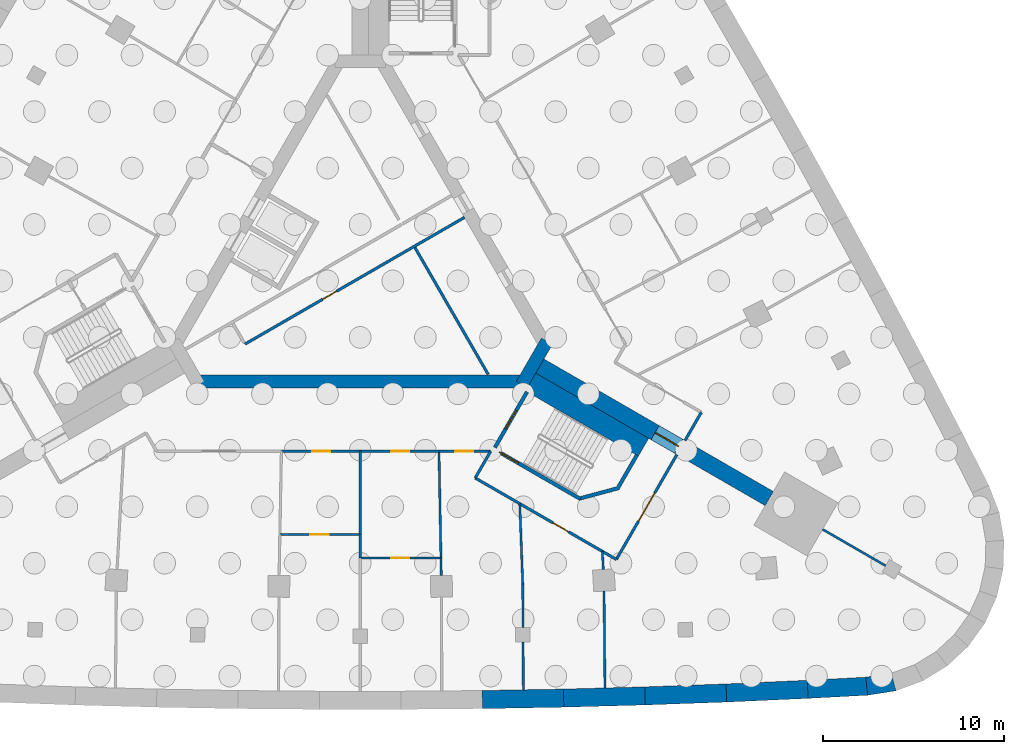
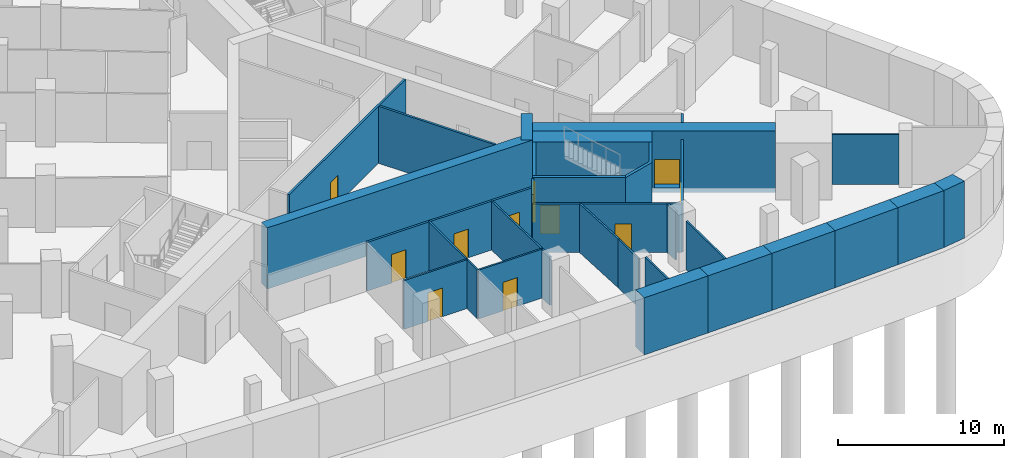
# One storey, part 4 of 9: 36 walls, 11 doors, 11 openings.
"""IFC4 building model written with IfcOpenShell, lengths in metres."""

from ifc_helpers import new_model, si_unit, direction, frame, frame_2d, origin, place, context, subcontext, project, spatial, polyline, rectangle, outline, extrude, material, layer, layer_set, type_object, element, fill, save


model = new_model("IFC4")

# Units and contexts
model_context = context("Model", 3, precision=1e-05, world=origin(), true_north=direction((0.0, 1.0)))
body_context = subcontext(model_context, "Body", "Model", "MODEL_VIEW")
ifc_project = project(units=[si_unit("LENGTHUNIT", "METRE"), si_unit("AREAUNIT", "SQUARE_METRE"), si_unit("VOLUMEUNIT", "CUBIC_METRE"), si_unit("PLANEANGLEUNIT", "RADIAN"), si_unit("MASSUNIT", "GRAM", prefix="KILO")], contexts=[model_context])

# Site, building, storey
site_placement = place(None, origin())
site = spatial("IfcSite", under=ifc_project, at=site_placement, CompositionType="ELEMENT")
building_placement = place(site_placement, origin())
building = spatial("IfcBuilding", under=site, at=building_placement, Name="Noor Cloister Tower", CompositionType="ELEMENT")
storey_placement = place(building_placement, frame((0.0, 0.0, -9.0)))
storey = spatial("IfcBuildingStorey", under=building, at=storey_placement, Name="B2", CompositionType="ELEMENT", Elevation=-9.0)

# Wall, opening, door
ifc_material_1 = material(Name="Concrete C80/95", Category="concrete")
ifc_layer_1 = layer(ifc_material_1, 0.89990234375)
ifc_layer_set_1 = layer_set([ifc_layer_1], Name="Buttress wall 900 C80/95")
wall_type_1 = type_object("IfcWallType", Name="Buttress wall 900 C80/95", PredefinedType="SHEAR", material=ifc_layer_set_1)
wall_1_placement = place(storey_placement, frame((9.921630859375, -5.728271484375, -0.300048828125), z_axis=(0.0, 0.0, 1.0), x_axis=(0.866028046028, -0.499995423472, 0.0)))
wall_1 = element("IfcWall", 1, at=wall_1_placement, inside=storey, type_object=wall_type_1, Name="Buttress wall SE B2", PredefinedType="SHEAR", context=body_context, shape_type="SweptSolid", body=[
    extrude(rectangle(XDim=14.632568359375, YDim=0.89990234375, at=frame_2d((7.31640625, 0.0))), origin(), (0.0, 0.0, 1.0), 4.5),
])
opening_1_placement = place(wall_1_placement, frame((7.35009765625, 0.0, 0.300048828125)))
opening_1 = element("IfcOpeningElement", 2, at=opening_1_placement, cuts=wall_1, Name="Opening B2-030", PredefinedType="OPENING", context=body_context, shape_type="SweptSolid", body=[
    extrude(rectangle(XDim=1.5, YDim=2.10009765625, at=frame_2d((0.75, 1.050048828125))), frame((0.0, 0.4599609375, 0.0), z_axis=(0.0, -1.0, 0.0), x_axis=(1.0, 0.0, 0.0)), (0.0, 0.0, 1.0), 0.919921875),
])
ifc_material_2 = material(Name="Steel fire door", Category="steel")
door_type_1 = type_object("IfcDoorType", Name="Smoke barrier door FD60 1500", OperationType="DOUBLE_DOOR_SINGLE_SWING", PredefinedType="DOOR", material=ifc_material_2)
door_1_placement = place(opening_1_placement, origin())
door_1 = element("IfcDoor", 3, at=door_1_placement, inside=storey, type_object=door_type_1, Name="Door B2-030", OperationType="DOUBLE_DOOR_SINGLE_SWING", OverallHeight=2.10009765625, OverallWidth=1.5, PredefinedType="DOOR", context=body_context, shape_type="SweptSolid", body=[
    extrude(rectangle(XDim=1.5, YDim=2.10009765625, at=frame_2d((0.75, 1.050048828125))), frame((0.0, 0.02490234375, 0.0), z_axis=(0.0, -1.0, 0.0), x_axis=(1.0, 0.0, 0.0)), (0.0, 0.0, 1.0), 0.050048828125),
])
fill(opening_1, door_1)

ifc_material_3 = material(Name="Concrete C30/37", Category="concrete")
ifc_layer_2 = layer(ifc_material_3, 0.14990234375)
ifc_layer_set_2 = layer_set([ifc_layer_2], Name="Core partition 150 C30/37")
wall_type_2 = type_object("IfcWallType", Name="Core partition 150 C30/37", PredefinedType="PARTITIONING", material=ifc_layer_set_2)
wall_2_placement = place(storey_placement, frame((-6.3662109375, -4.51708984375, 0.0), z_axis=(0.0, 0.0, 1.0), x_axis=(0.866023831006, 0.500002724122, 0.0)))
wall_2 = element("IfcWall", 4, at=wall_2_placement, inside=storey, type_object=wall_type_2, Name="Core room partition B2 2", PredefinedType="PARTITIONING", context=body_context, shape_type="SweptSolid", body=[
    extrude(rectangle(XDim=14.0, YDim=0.14990234375, at=frame_2d((7.0, 0.0))), origin(), (0.0, 0.0, 1.0), 4.199951171875),
])
opening_2_placement = place(wall_2_placement, frame((4.950927734375, 0.0, 0.0)))
opening_2 = element("IfcOpeningElement", 5, at=opening_2_placement, cuts=wall_2, Name="Opening B2-904", PredefinedType="OPENING", context=body_context, shape_type="SweptSolid", body=[
    extrude(rectangle(XDim=0.89990234375, YDim=2.10009765625, at=frame_2d((0.449951171875, 1.050048828125))), frame((0.0, 0.0849609375, 0.0), z_axis=(0.0, -1.0, 0.0), x_axis=(1.0, 0.0, 0.0)), (0.0, 0.0, 1.0), 0.169921875),
])
ifc_material_4 = material(Name="Steel", Category="steel")
door_type_2 = type_object("IfcDoorType", Name="Core door 900 x 2100 FD120", OperationType="SINGLE_SWING_LEFT", PredefinedType="DOOR", material=ifc_material_4)
door_2_placement = place(opening_2_placement, origin())
door_2 = element("IfcDoor", 6, at=door_2_placement, inside=storey, type_object=door_type_2, Name="Core door 4 B2", OperationType="SINGLE_SWING_RIGHT", OverallHeight=2.10009765625, OverallWidth=0.89990234375, PredefinedType="DOOR", context=body_context, shape_type="SweptSolid", body=[
    extrude(rectangle(XDim=0.89990234375, YDim=2.10009765625, at=frame_2d((0.449951171875, 1.050048828125))), frame((0.0, 0.02490234375, 0.0), z_axis=(0.0, -1.0, 0.0), x_axis=(1.0, 0.0, 0.0)), (0.0, 0.0, 1.0), 0.050048828125),
])
fill(opening_2, door_2)

# Walls
wall_3_placement = place(storey_placement, frame((7.070068359375, -6.189208984375, 0.0), z_axis=(0.0, 0.0, 1.0), x_axis=(-0.499997568964, 0.866026807339, 0.0)))
element("IfcWall", 7, at=wall_3_placement, inside=storey, type_object=wall_type_2, Name="Core room partition B2 6", PredefinedType="PARTITIONING", context=body_context, shape_type="SweptSolid", body=[
    extrude(rectangle(XDim=8.09130859375, YDim=0.14990234375, at=frame_2d((4.045654296875, 0.0))), origin(), (0.0, 0.0, 1.0), 4.199951171875),
])
ifc_material_5 = material(Name="Concrete C80/95", Category="concrete")
ifc_layer_3 = layer(ifc_material_5, 0.699951171875)
ifc_layer_set_3 = layer_set([ifc_layer_3], Name="Core wall 700 C80/95")
wall_type_3 = type_object("IfcWallType", Name="Core wall 700 C80/95", PredefinedType="SHEAR", material=ifc_layer_set_3)
wall_4_placement = place(storey_placement, frame((-9.228759765625, -6.578125, -0.300048828125), z_axis=(0.0, 0.0, 1.0), x_axis=(1.0, 0.0, 0.0)))
element("IfcWall", 8, at=wall_4_placement, inside=storey, type_object=wall_type_3, Name="Core wall B2 1", PredefinedType="SHEAR", context=body_context, shape_type="SweptSolid", body=[
    extrude(rectangle(XDim=18.45751953125, YDim=0.699951171875, at=frame_2d((9.228759765625, 0.0))), origin(), (0.0, 0.0, 1.0), 4.5),
])
wall_5_placement = place(storey_placement, frame((8.925537109375, -6.753173828125, -0.300048828125), z_axis=(0.0, 0.0, 1.0), x_axis=(0.500042739161, 0.866000726912, 0.0)))
element("IfcWall", 9, at=wall_5_placement, inside=storey, type_object=wall_type_3, Name="Core wall B2 2", PredefinedType="SHEAR", context=body_context, shape_type="SweptSolid", body=[
    extrude(rectangle(XDim=2.771240234375, YDim=0.699951171875, at=frame_2d((1.3857421875, 0.0))), origin(), (0.0, 0.0, 1.0), 4.5),
])

# Wall, opening, door
ifc_material_6 = material(Name="Plasterboard on steel studs", Category="steel")
ifc_layer_4 = layer(ifc_material_6, 0.14990234375)
ifc_layer_set_4 = layer_set([ifc_layer_4], Name="Corridor wall 150")
wall_type_4 = type_object("IfcWallType", Name="Corridor wall 150", PredefinedType="PARTITIONING", material=ifc_layer_set_4)
wall_6_placement = place(storey_placement, frame((13.376953125, -15.962890625, 0.0), z_axis=(0.0, 0.0, 1.0), x_axis=(-0.865969754012, 0.500096375847, 0.0)))
wall_6 = element("IfcWall", 10, at=wall_6_placement, inside=storey, type_object=wall_type_4, Name="Partition", PredefinedType="PARTITIONING", context=body_context, shape_type="SweptSolid", body=[
    extrude(rectangle(XDim=5.27490234375, YDim=0.14990234375, at=frame_2d((2.637451171875, 0.0))), origin(), (0.0, 0.0, 1.0), 3.587890625),
])
opening_3_placement = place(wall_6_placement, frame((2.14990234375, 0.0, 0.0)))
opening_3 = element("IfcOpeningElement", 11, at=opening_3_placement, cuts=wall_6, Name="Opening B2-003", PredefinedType="OPENING", context=body_context, shape_type="SweptSolid", body=[
    extrude(rectangle(XDim=1.0, YDim=2.10009765625, at=frame_2d((0.5, 1.050048828125))), frame((0.0, 0.0849609375, 0.0), z_axis=(0.0, -1.0, 0.0), x_axis=(1.0, 0.0, 0.0)), (0.0, 0.0, 1.0), 0.169921875),
])
ifc_material_7 = material(Name="Timber door leaf", Category="wood")
door_type_3 = type_object("IfcDoorType", Name="Clinic room door 1000", OperationType="SINGLE_SWING_LEFT", PredefinedType="DOOR", material=ifc_material_7)
door_3_placement = place(opening_3_placement, origin())
door_3 = element("IfcDoor", 12, at=door_3_placement, inside=storey, type_object=door_type_3, Name="Door B2-003", OperationType="SINGLE_SWING_RIGHT", OverallHeight=2.10009765625, OverallWidth=1.0, PredefinedType="DOOR", context=body_context, shape_type="SweptSolid", body=[
    extrude(rectangle(XDim=1.0, YDim=2.10009765625, at=frame_2d((0.5, 1.050048828125))), frame((0.0, 0.02490234375, 0.0), z_axis=(0.0, -1.0, 0.0), x_axis=(1.0, 0.0, 0.0)), (0.0, 0.0, 1.0), 0.050048828125),
])
fill(opening_3, door_3)

wall_7_placement = place(storey_placement, frame((17.490966796875, -10.617919921875, 0.0), z_axis=(0.0, 0.0, 1.0), x_axis=(-0.499969057507, -0.866043267704, 0.0)))
wall_7 = element("IfcWall", 13, at=wall_7_placement, inside=storey, type_object=wall_type_4, Name="Partition", PredefinedType="PARTITIONING", context=body_context, shape_type="SweptSolid", body=[
    extrude(rectangle(XDim=6.6845703125, YDim=0.14990234375, at=frame_2d((3.34228515625, 0.0))), origin(), (0.0, 0.0, 1.0), 3.587890625),
])
opening_4_placement = place(wall_7_placement, frame((2.449951171875, 0.0, 0.0)))
opening_4 = element("IfcOpeningElement", 14, at=opening_4_placement, cuts=wall_7, Name="Opening B2-004", PredefinedType="OPENING", context=body_context, shape_type="SweptSolid", body=[
    extrude(rectangle(XDim=1.800048828125, YDim=2.10009765625, at=frame_2d((0.89990234375, 1.050048828125))), frame((0.0, 0.0849609375, 0.0), z_axis=(0.0, -1.0, 0.0), x_axis=(1.0, 0.0, 0.0)), (0.0, 0.0, 1.0), 0.169921875),
])
ifc_material_8 = material(Name="Timber door leaf", Category="wood")
door_type_4 = type_object("IfcDoorType", Name="Double leaf door 1800", OperationType="DOUBLE_DOOR_SINGLE_SWING", PredefinedType="DOOR", material=ifc_material_8)
door_4_placement = place(opening_4_placement, origin())
door_4 = element("IfcDoor", 15, at=door_4_placement, inside=storey, type_object=door_type_4, Name="Door B2-004", OperationType="DOUBLE_DOOR_SINGLE_SWING", OverallHeight=2.10009765625, OverallWidth=1.800048828125, PredefinedType="DOOR", context=body_context, shape_type="SweptSolid", body=[
    extrude(rectangle(XDim=1.800048828125, YDim=2.10009765625, at=frame_2d((0.89990234375, 1.050048828125))), frame((0.0, 0.02490234375, 0.0), z_axis=(0.0, -1.0, 0.0), x_axis=(1.0, 0.0, 0.0)), (0.0, 0.0, 1.0), 0.050048828125),
])
fill(opening_4, door_4)

# Walls
wall_8_placement = place(storey_placement, frame((14.14697265625, -16.406982421875, 0.0), z_axis=(0.0, 0.0, 1.0), x_axis=(-0.866276218641, 0.499565324075, 0.0)))
element("IfcWall", 16, at=wall_8_placement, inside=storey, type_object=wall_type_4, Name="Partition", PredefinedType="PARTITIONING", context=body_context, shape_type="SweptSolid", body=[
    extrude(rectangle(XDim=0.896728515625, YDim=0.14990234375, at=frame_2d((0.4482421875, 0.0))), origin(), (0.0, 0.0, 1.0), 3.587890625),
])
wall_9_placement = place(storey_placement, frame((8.81689453125, -13.330078125, 0.0), z_axis=(0.0, 0.0, 1.0), x_axis=(-0.865999736111, 0.50004445508, 0.0)))
element("IfcWall", 17, at=wall_9_placement, inside=storey, type_object=wall_type_4, Name="Partition", PredefinedType="PARTITIONING", context=body_context, shape_type="SweptSolid", body=[
    extrude(rectangle(XDim=2.843994140625, YDim=0.14990234375, at=frame_2d((1.421875, 0.0))), origin(), (0.0, 0.0, 1.0), 3.587890625),
])
wall_10_placement = place(storey_placement, frame((6.35400390625, -11.906005859375, 0.0), z_axis=(0.0, 0.0, 1.0), x_axis=(0.500539815233, 0.865713516913, 0.0)))
element("IfcWall", 18, at=wall_10_placement, inside=storey, type_object=wall_type_4, Name="Partition", PredefinedType="PARTITIONING", context=body_context, shape_type="SweptSolid", body=[
    extrude(rectangle(XDim=1.7060546875, YDim=0.14990234375, at=frame_2d((0.85302734375, 0.0))), origin(), (0.0, 0.0, 1.0), 4.199951171875),
])

# Wall, opening, door
wall_11_placement = place(storey_placement, frame((7.2080078125, -10.427978515625, 0.0), z_axis=(0.0, 0.0, 1.0), x_axis=(-1.0, 0.0, 0.0)))
wall_11 = element("IfcWall", 19, at=wall_11_placement, inside=storey, type_object=wall_type_4, Name="Partition", PredefinedType="PARTITIONING", context=body_context, shape_type="SweptSolid", body=[
    extrude(rectangle(XDim=2.861083984375, YDim=0.14990234375, at=frame_2d((1.4306640625, 0.0))), origin(), (0.0, 0.0, 1.0), 3.587890625),
])
opening_5_placement = place(wall_11_placement, frame((0.949951171875, 0.0, 0.0)))
opening_5 = element("IfcOpeningElement", 20, at=opening_5_placement, cuts=wall_11, Name="Opening B2-006", PredefinedType="OPENING", context=body_context, shape_type="SweptSolid", body=[
    extrude(rectangle(XDim=1.0, YDim=2.10009765625, at=frame_2d((0.5, 1.050048828125))), frame((0.0, 0.0849609375, 0.0), z_axis=(0.0, -1.0, 0.0), x_axis=(1.0, 0.0, 0.0)), (0.0, 0.0, 1.0), 0.169921875),
])
ifc_material_9 = material(Name="Timber door leaf", Category="wood")
door_type_5 = type_object("IfcDoorType", Name="WC block door 1000", OperationType="SINGLE_SWING_LEFT", PredefinedType="DOOR", material=ifc_material_9)
door_5_placement = place(opening_5_placement, origin())
door_5 = element("IfcDoor", 21, at=door_5_placement, inside=storey, type_object=door_type_5, Name="Door B2-006", OperationType="SINGLE_SWING_RIGHT", OverallHeight=2.10009765625, OverallWidth=1.0, PredefinedType="DOOR", context=body_context, shape_type="SweptSolid", body=[
    extrude(rectangle(XDim=1.0, YDim=2.10009765625, at=frame_2d((0.5, 1.050048828125))), frame((0.0, 0.02490234375, 0.0), z_axis=(0.0, -1.0, 0.0), x_axis=(1.0, 0.0, 0.0)), (0.0, 0.0, 1.0), 0.050048828125),
])
fill(opening_5, door_5)

wall_12_placement = place(storey_placement, frame((4.35498046875, -10.427978515625, 0.0), z_axis=(0.0, 0.0, 1.0), x_axis=(-1.0, 0.0, 0.0)))
wall_12 = element("IfcWall", 22, at=wall_12_placement, inside=storey, type_object=wall_type_4, Name="Partition", PredefinedType="PARTITIONING", context=body_context, shape_type="SweptSolid", body=[
    extrude(rectangle(XDim=4.35888671875, YDim=0.14990234375, at=frame_2d((2.179443359375, 0.0))), origin(), (0.0, 0.0, 1.0), 3.587890625),
])
opening_6_placement = place(wall_12_placement, frame((1.64990234375, 0.0, 0.0)))
opening_6 = element("IfcOpeningElement", 23, at=opening_6_placement, cuts=wall_12, Name="Opening B2-008", PredefinedType="OPENING", context=body_context, shape_type="SweptSolid", body=[
    extrude(rectangle(XDim=1.0, YDim=2.10009765625, at=frame_2d((0.5, 1.050048828125))), frame((0.0, 0.0849609375, 0.0), z_axis=(0.0, -1.0, 0.0), x_axis=(1.0, 0.0, 0.0)), (0.0, 0.0, 1.0), 0.169921875),
])
door_6_placement = place(opening_6_placement, origin())
door_6 = element("IfcDoor", 24, at=door_6_placement, inside=storey, type_object=door_type_3, Name="Door B2-008", OperationType="SINGLE_SWING_LEFT", OverallHeight=2.10009765625, OverallWidth=1.0, PredefinedType="DOOR", context=body_context, shape_type="SweptSolid", body=[
    extrude(rectangle(XDim=1.0, YDim=2.10009765625, at=frame_2d((0.5, 1.050048828125))), frame((0.0, 0.02490234375, 0.0), z_axis=(0.0, -1.0, 0.0), x_axis=(1.0, 0.0, 0.0)), (0.0, 0.0, 1.0), 0.050048828125),
])
fill(opening_6, door_6)

wall_13_placement = place(storey_placement, frame((0.00390625, -10.427978515625, 0.0), z_axis=(0.0, 0.0, 1.0), x_axis=(-1.0, 0.0, 0.0)))
wall_13 = element("IfcWall", 25, at=wall_13_placement, inside=storey, type_object=wall_type_4, Name="Partition", PredefinedType="PARTITIONING", context=body_context, shape_type="SweptSolid", body=[
    extrude(rectangle(XDim=4.35888671875, YDim=0.14990234375, at=frame_2d((2.179443359375, 0.0))), origin(), (0.0, 0.0, 1.0), 3.587890625),
])
opening_7_placement = place(wall_13_placement, frame((1.64990234375, 0.0, 0.0)))
opening_7 = element("IfcOpeningElement", 26, at=opening_7_placement, cuts=wall_13, Name="Opening B2-009", PredefinedType="OPENING", context=body_context, shape_type="SweptSolid", body=[
    extrude(rectangle(XDim=1.0, YDim=2.10009765625, at=frame_2d((0.5, 1.050048828125))), frame((0.0, 0.0849609375, 0.0), z_axis=(0.0, -1.0, 0.0), x_axis=(1.0, 0.0, 0.0)), (0.0, 0.0, 1.0), 0.169921875),
])
door_7_placement = place(opening_7_placement, origin())
door_7 = element("IfcDoor", 27, at=door_7_placement, inside=storey, type_object=door_type_3, Name="Door B2-009", OperationType="SINGLE_SWING_LEFT", OverallHeight=2.10009765625, OverallWidth=1.0, PredefinedType="DOOR", context=body_context, shape_type="SweptSolid", body=[
    extrude(rectangle(XDim=1.0, YDim=2.10009765625, at=frame_2d((0.5, 1.050048828125))), frame((0.0, 0.02490234375, 0.0), z_axis=(0.0, -1.0, 0.0), x_axis=(1.0, 0.0, 0.0)), (0.0, 0.0, 1.0), 0.050048828125),
])
fill(opening_7, door_7)

# Walls
wall_14_placement = place(storey_placement, frame((18.840087890625, -8.281005859375, 0.0), z_axis=(0.0, 0.0, 1.0), x_axis=(-0.500126010714, -0.86595263924, 0.0)))
element("IfcWall", 28, at=wall_14_placement, inside=storey, type_object=wall_type_4, Name="Partition", PredefinedType="PARTITIONING", context=body_context, shape_type="SweptSolid", body=[
    extrude(rectangle(XDim=1.7978515625, YDim=0.14990234375, at=frame_2d((0.89892578125, 0.0))), origin(), (0.0, 0.0, 1.0), 3.587890625),
])
ifc_material_10 = material(Name="Concrete C50/60", Category="concrete")
ifc_layer_5 = layer(ifc_material_10, 1.0)
ifc_layer_set_5 = layer_set([ifc_layer_5], Name="Diaphragm wall 1000")
wall_type_5 = type_object("IfcWallType", Name="Diaphragm wall 1000", PredefinedType="SOLIDWALL", material=ifc_layer_set_5)
wall_15_placement = place(storey_placement, origin())
element("IfcWall", 29, at=wall_15_placement, inside=storey, type_object=wall_type_5, Name="Basement wall 42", PredefinedType="SOLIDWALL", context=body_context, shape_type="SweptSolid", body=[
    extrude(outline(polyline([(6.749755859375, -24.6484375), (11.2490234375, -24.567626953125), (11.2265625, -23.56787109375), (6.736328125, -23.648681640625), (6.749755859375, -24.6484375)])), origin(), (0.0, 0.0, 1.0), 4.199951171875),
])
wall_16_placement = place(storey_placement, origin())
element("IfcWall", 30, at=wall_16_placement, inside=storey, type_object=wall_type_5, Name="Basement wall 43", PredefinedType="SOLIDWALL", context=body_context, shape_type="SweptSolid", body=[
    extrude(outline(polyline([(11.2490234375, -24.567626953125), (15.747314453125, -24.4462890625), (15.716064453125, -23.44677734375), (11.2265625, -23.56787109375), (11.2490234375, -24.567626953125)])), origin(), (0.0, 0.0, 1.0), 4.199951171875),
])
wall_17_placement = place(storey_placement, origin())
element("IfcWall", 31, at=wall_17_placement, inside=storey, type_object=wall_type_5, Name="Basement wall 44", PredefinedType="SOLIDWALL", context=body_context, shape_type="SweptSolid", body=[
    extrude(outline(polyline([(15.747314453125, -24.4462890625), (20.244384765625, -24.28466796875), (20.2041015625, -23.285400390625), (15.716064453125, -23.44677734375), (15.747314453125, -24.4462890625)])), origin(), (0.0, 0.0, 1.0), 4.199951171875),
])
wall_18_placement = place(storey_placement, origin())
element("IfcWall", 32, at=wall_18_placement, inside=storey, type_object=wall_type_5, Name="Basement wall 45", PredefinedType="SOLIDWALL", context=body_context, shape_type="SweptSolid", body=[
    extrude(outline(polyline([(20.244384765625, -24.28466796875), (24.739990234375, -24.08251953125), (24.691162109375, -23.083740234375), (20.2041015625, -23.285400390625), (20.244384765625, -24.28466796875)])), origin(), (0.0, 0.0, 1.0), 4.199951171875),
])
wall_19_placement = place(storey_placement, origin())
element("IfcWall", 33, at=wall_19_placement, inside=storey, type_object=wall_type_5, Name="Basement wall 46", PredefinedType="SOLIDWALL", context=body_context, shape_type="SweptSolid", body=[
    extrude(outline(polyline([(24.739990234375, -24.08251953125), (28.02490234375, -23.9091796875), (27.921142578125, -22.913330078125), (24.691162109375, -23.083740234375), (24.739990234375, -24.08251953125)])), origin(), (0.0, 0.0, 1.0), 4.199951171875),
])
wall_20_placement = place(storey_placement, origin())
element("IfcWall", 34, at=wall_20_placement, inside=storey, type_object=wall_type_5, Name="Basement wall 47", PredefinedType="SOLIDWALL", context=body_context, shape_type="SweptSolid", body=[
    extrude(outline(polyline([(28.02490234375, -23.9091796875), (29.58935546875, -23.66455078125), (29.336669921875, -22.69189453125), (27.921142578125, -22.913330078125), (28.02490234375, -23.9091796875)])), origin(), (0.0, 0.0, 1.0), 4.199951171875),
])
ifc_material_11 = material(Name="Plasterboard on steel studs", Category="steel")
ifc_layer_6 = layer(ifc_material_11, 0.1201171875)
ifc_layer_set_6 = layer_set([ifc_layer_6], Name="Partition wall 120")
wall_type_6 = type_object("IfcWallType", Name="Partition wall 120", PredefinedType="PARTITIONING", material=ifc_layer_set_6)
wall_21_placement = place(storey_placement, frame((0.0, -16.327880859375, 0.0), z_axis=(0.0, 0.0, 1.0), x_axis=(0.0, 1.0, 0.0)))
element("IfcWall", 35, at=wall_21_placement, inside=storey, type_object=wall_type_6, Name="Partition", PredefinedType="PARTITIONING", context=body_context, shape_type="SweptSolid", body=[
    extrude(rectangle(XDim=1.303955078125, YDim=0.1201171875, at=frame_2d((0.65185546875, 0.0))), origin(), (0.0, 0.0, 1.0), 3.587890625),
])

# Wall, opening, door
wall_22_placement = place(storey_placement, frame((0.0, -15.028076171875, 0.0), z_axis=(0.0, 0.0, 1.0), x_axis=(-1.0, 0.0, 0.0)))
wall_22 = element("IfcWall", 36, at=wall_22_placement, inside=storey, type_object=wall_type_6, Name="Partition", PredefinedType="PARTITIONING", context=body_context, shape_type="SweptSolid", body=[
    extrude(rectangle(XDim=4.43603515625, YDim=0.1201171875, at=frame_2d((2.218017578125, 0.0))), origin(), (0.0, 0.0, 1.0), 3.587890625),
])
opening_8_placement = place(wall_22_placement, frame((1.75, 0.0, 0.0)))
opening_8 = element("IfcOpeningElement", 37, at=opening_8_placement, cuts=wall_22, Name="Opening B2-001", PredefinedType="OPENING", context=body_context, shape_type="SweptSolid", body=[
    extrude(rectangle(XDim=1.0, YDim=2.10009765625, at=frame_2d((0.5, 1.050048828125))), frame((0.0, 0.070068359375, 0.0), z_axis=(0.0, -1.0, 0.0), x_axis=(1.0, 0.0, 0.0)), (0.0, 0.0, 1.0), 0.14013671875),
])
door_8_placement = place(opening_8_placement, origin())
door_8 = element("IfcDoor", 38, at=door_8_placement, inside=storey, type_object=door_type_3, Name="Door B2-001", OperationType="SINGLE_SWING_RIGHT", OverallHeight=2.10009765625, OverallWidth=1.0, PredefinedType="DOOR", context=body_context, shape_type="SweptSolid", body=[
    extrude(rectangle(XDim=1.0, YDim=2.10009765625, at=frame_2d((0.5, 1.050048828125))), frame((0.0, 0.02490234375, 0.0), z_axis=(0.0, -1.0, 0.0), x_axis=(1.0, 0.0, 0.0)), (0.0, 0.0, 1.0), 0.050048828125),
])
fill(opening_8, door_8)

# Wall
wall_23_placement = place(storey_placement, frame((4.47802734375, -17.291015625, 0.0), z_axis=(0.0, 0.0, 1.0), x_axis=(-0.018678891577, 0.999825534286, 0.0)))
element("IfcWall", 39, at=wall_23_placement, inside=storey, type_object=wall_type_6, Name="Partition", PredefinedType="PARTITIONING", context=body_context, shape_type="SweptSolid", body=[
    extrude(rectangle(XDim=0.96728515625, YDim=0.1201171875, at=frame_2d((0.483642578125, 0.0))), origin(), (0.0, 0.0, 1.0), 3.587890625),
])

# Wall, opening, door
wall_24_placement = place(storey_placement, frame((4.4609375, -16.327880859375, 0.0), z_axis=(0.0, 0.0, 1.0), x_axis=(-1.0, 0.0, 0.0)))
wall_24 = element("IfcWall", 40, at=wall_24_placement, inside=storey, type_object=wall_type_6, Name="Partition", PredefinedType="PARTITIONING", context=body_context, shape_type="SweptSolid", body=[
    extrude(rectangle(XDim=4.4609375, YDim=0.1201171875, at=frame_2d((2.23046875, 0.0))), origin(), (0.0, 0.0, 1.0), 3.587890625),
])
opening_9_placement = place(wall_24_placement, frame((1.75, 0.0, 0.0)))
opening_9 = element("IfcOpeningElement", 41, at=opening_9_placement, cuts=wall_24, Name="Opening B2-002", PredefinedType="OPENING", context=body_context, shape_type="SweptSolid", body=[
    extrude(rectangle(XDim=1.0, YDim=2.10009765625, at=frame_2d((0.5, 1.050048828125))), frame((0.0, 0.070068359375, 0.0), z_axis=(0.0, -1.0, 0.0), x_axis=(1.0, 0.0, 0.0)), (0.0, 0.0, 1.0), 0.14013671875),
])
door_9_placement = place(opening_9_placement, origin())
door_9 = element("IfcDoor", 42, at=door_9_placement, inside=storey, type_object=door_type_3, Name="Door B2-002", OperationType="SINGLE_SWING_RIGHT", OverallHeight=2.10009765625, OverallWidth=1.0, PredefinedType="DOOR", context=body_context, shape_type="SweptSolid", body=[
    extrude(rectangle(XDim=1.0, YDim=2.10009765625, at=frame_2d((0.5, 1.050048828125))), frame((0.0, 0.02490234375, 0.0), z_axis=(0.0, -1.0, 0.0), x_axis=(1.0, 0.0, 0.0)), (0.0, 0.0, 1.0), 0.050048828125),
])
fill(opening_9, door_9)

# Walls
wall_25_placement = place(storey_placement, frame((13.428955078125, -16.958984375, 0.0), z_axis=(0.0, 0.0, 1.0), x_axis=(-0.055009625476, 0.998485824188, 0.0)))
element("IfcWall", 43, at=wall_25_placement, inside=storey, type_object=wall_type_6, Name="Partition", PredefinedType="PARTITIONING", context=body_context, shape_type="SweptSolid", body=[
    extrude(rectangle(XDim=0.99853515625, YDim=0.1201171875, at=frame_2d((0.499267578125, 0.0))), origin(), (0.0, 0.0, 1.0), 3.587890625),
])
wall_26_placement = place(storey_placement, frame((13.51708984375, -23.506103515625, 0.0), z_axis=(0.0, 0.0, 1.0), x_axis=(-0.00917685765, 0.999957891755, 0.0)))
element("IfcWall", 44, at=wall_26_placement, inside=storey, type_object=wall_type_6, Name="Partition", PredefinedType="PARTITIONING", context=body_context, shape_type="SweptSolid", body=[
    extrude(rectangle(XDim=5.347412109375, YDim=0.1201171875, at=frame_2d((2.673828125, 0.0))), origin(), (0.0, 0.0, 1.0), 3.5830078125),
])
wall_27_placement = place(storey_placement, frame((8.81298828125, -13.327880859375, 0.0), z_axis=(0.0, 0.0, 1.0), x_axis=(0.03715191714, -0.999309629221, 0.0)))
element("IfcWall", 45, at=wall_27_placement, inside=storey, type_object=wall_type_6, Name="Partition", PredefinedType="PARTITIONING", context=body_context, shape_type="SweptSolid", body=[
    extrude(rectangle(XDim=4.4423828125, YDim=0.1201171875, at=frame_2d((2.22119140625, 0.0))), origin(), (0.0, 0.0, 1.0), 3.587890625),
])
wall_28_placement = place(storey_placement, frame((8.97802734375, -17.76708984375, 0.0), z_axis=(0.0, 0.0, 1.0), x_axis=(0.005803200997, -0.999983161287, 0.0)))
element("IfcWall", 46, at=wall_28_placement, inside=storey, type_object=wall_type_6, Name="Partition", PredefinedType="PARTITIONING", context=body_context, shape_type="SweptSolid", body=[
    extrude(rectangle(XDim=2.39794921875, YDim=0.1201171875, at=frame_2d((1.198974609375, 0.0))), origin(), (0.0, 0.0, 1.0), 3.587890625),
])
wall_29_placement = place(storey_placement, frame((8.99609375, -20.965087890625, 0.0), z_axis=(0.0, 0.0, 1.0), x_axis=(0.006004510691, -0.999981972763, 0.0)))
element("IfcWall", 47, at=wall_29_placement, inside=storey, type_object=wall_type_6, Name="Partition", PredefinedType="PARTITIONING", context=body_context, shape_type="SweptSolid", body=[
    extrude(rectangle(XDim=2.642822265625, YDim=0.1201171875, at=frame_2d((1.3212890625, 0.0))), origin(), (0.0, 0.0, 1.0), 4.199951171875),
])
wall_30_placement = place(storey_placement, frame((29.02294921875, -16.757080078125, 0.0), z_axis=(0.0, 0.0, 1.0), x_axis=(-0.866027971625, 0.499995552344, 0.0)))
element("IfcWall", 48, at=wall_30_placement, inside=storey, type_object=wall_type_6, Name="Partition", PredefinedType="PARTITIONING", context=body_context, shape_type="SweptSolid", body=[
    extrude(rectangle(XDim=4.02392578125, YDim=0.1201171875, at=frame_2d((2.011962890625, 0.0))), origin(), (0.0, 0.0, 1.0), 3.6669921875),
])
wall_31_placement = place(storey_placement, frame((4.35107421875, -10.428955078125, 0.0), z_axis=(0.0, 0.0, 1.0), x_axis=(0.018624139004, -0.999826555682, 0.0)))
element("IfcWall", 49, at=wall_31_placement, inside=storey, type_object=wall_type_6, Name="Partition", PredefinedType="PARTITIONING", context=body_context, shape_type="SweptSolid", body=[
    extrude(rectangle(XDim=5.89892578125, YDim=0.1201171875, at=frame_2d((2.949462890625, 0.0))), origin(), (0.0, 0.0, 1.0), 3.587890625),
])
wall_32_placement = place(storey_placement, frame((0.0, -10.427978515625, 0.0), z_axis=(0.0, 0.0, 1.0), x_axis=(0.0, -1.0, 0.0)))
element("IfcWall", 50, at=wall_32_placement, inside=storey, type_object=wall_type_6, Name="Partition", PredefinedType="PARTITIONING", context=body_context, shape_type="SweptSolid", body=[
    extrude(rectangle(XDim=4.60009765625, YDim=0.1201171875, at=frame_2d((2.300048828125, 0.0))), origin(), (0.0, 0.0, 1.0), 3.587890625),
])
ifc_material_12 = material(Name="Concrete C80/95", Category="concrete")
ifc_layer_7 = layer(ifc_material_12, 1.135986328125)
ifc_layer_set_7 = layer_set([ifc_layer_7], Name="Stair enclosure wall 1136 C80/95")
wall_type_7 = type_object("IfcWallType", Name="Stair enclosure wall 1136 C80/95", PredefinedType="SHEAR", material=ifc_layer_set_7)
wall_33_placement = place(storey_placement, frame((9.41259765625, -6.609619140625, -0.300048828125), z_axis=(0.0, 0.0, 1.0), x_axis=(0.866018442252, -0.500012057535, 0.0)))
element("IfcWall", 51, at=wall_33_placement, inside=storey, type_object=wall_type_7, Name="Stair enclosure wall ST3 B2 riser side", PredefinedType="SHEAR", context=body_context, shape_type="SweptSolid", body=[
    extrude(rectangle(XDim=7.199951171875, YDim=1.1357421875, at=frame_2d((3.60009765625, 0.0))), origin(), (0.0, 0.0, 1.0), 4.5),
])

# Wall, opening, door
ifc_material_13 = material(Name="Concrete C80/95", Category="concrete")
ifc_layer_8 = layer(ifc_material_13, 0.199951171875)
ifc_layer_set_8 = layer_set([ifc_layer_8], Name="Stair enclosure wall 200 C80/95")
wall_type_8 = type_object("IfcWallType", Name="Stair enclosure wall 200 C80/95", PredefinedType="SHEAR", material=ifc_layer_set_8)
wall_34_placement = place(storey_placement, frame((7.440185546875, -10.225830078125, -0.300048828125), z_axis=(0.0, 0.0, 1.0), x_axis=(0.500022077904, 0.866012656725, 0.0)))
wall_34 = element("IfcWall", 52, at=wall_34_placement, inside=storey, type_object=wall_type_8, Name="Stair enclosure wall ST3 B2 near end", PredefinedType="SHEAR", context=body_context, shape_type="SweptSolid", body=[
    extrude(rectangle(XDim=3.550048828125, YDim=0.199951171875, at=frame_2d((1.77490234375, 0.0))), origin(), (0.0, 0.0, 1.0), 4.5),
])
opening_10_placement = place(wall_34_placement, frame((1.175048828125, 0.0, 0.300048828125)))
opening_10 = element("IfcOpeningElement", 53, at=opening_10_placement, cuts=wall_34, Name="Opening B2-ST3L", PredefinedType="OPENING", context=body_context, shape_type="SweptSolid", body=[
    extrude(rectangle(XDim=1.199951171875, YDim=2.10009765625, at=frame_2d((0.60009765625, 1.050048828125))), frame((0.0, 0.10986328125, 0.0), z_axis=(0.0, -1.0, 0.0), x_axis=(1.0, 0.0, 0.0)), (0.0, 0.0, 1.0), 0.219970703125),
])
ifc_material_14 = material(Name="Steel", Category="steel")
door_type_6 = type_object("IfcDoorType", Name="Stair door 1200 x 2100 FD120", OperationType="SINGLE_SWING_LEFT", PredefinedType="DOOR", material=ifc_material_14)
door_10_placement = place(opening_10_placement, origin())
door_10 = element("IfcDoor", 54, at=door_10_placement, inside=storey, type_object=door_type_6, Name="Stair door ST3 B2", OperationType="SINGLE_SWING_RIGHT", OverallHeight=2.10009765625, OverallWidth=1.199951171875, PredefinedType="DOOR", context=body_context, shape_type="SweptSolid", body=[
    extrude(rectangle(XDim=1.199951171875, YDim=2.10009765625, at=frame_2d((0.60009765625, 1.050048828125))), frame((0.0, 0.02490234375, 0.0), z_axis=(0.0, -1.0, 0.0), x_axis=(1.0, 0.0, 0.0)), (0.0, 0.0, 1.0), 0.050048828125),
])
fill(opening_10, door_10)

wall_35_placement = place(storey_placement, frame((7.3037109375, -10.262451171875, -0.300048828125), z_axis=(0.0, 0.0, 1.0), x_axis=(0.866026594901, -0.49999793692, 0.0)))
wall_35 = element("IfcWall", 55, at=wall_35_placement, inside=storey, type_object=wall_type_8, Name="Stair enclosure wall ST3 B2 outer side", PredefinedType="SHEAR", context=body_context, shape_type="SweptSolid", body=[
    extrude(rectangle(XDim=5.60009765625, YDim=0.199951171875, at=frame_2d((2.800048828125, 0.0))), origin(), (0.0, 0.0, 1.0), 4.5),
])
opening_11_placement = place(wall_35_placement, frame((0.449951171875, 0.0, 0.300048828125)))
opening_11 = element("IfcOpeningElement", 56, at=opening_11_placement, cuts=wall_35, Name="Opening B2-ST3C", PredefinedType="OPENING", context=body_context, shape_type="SweptSolid", body=[
    extrude(rectangle(XDim=1.199951171875, YDim=2.10009765625, at=frame_2d((0.60009765625, 1.050048828125))), frame((0.0, 0.10986328125, 0.0), z_axis=(0.0, -1.0, 0.0), x_axis=(1.0, 0.0, 0.0)), (0.0, 0.0, 1.0), 0.219970703125),
])
door_11_placement = place(opening_11_placement, origin())
door_11 = element("IfcDoor", 57, at=door_11_placement, inside=storey, type_object=door_type_6, Name="Stair door ST3 B2", OperationType="SINGLE_SWING_LEFT", OverallHeight=2.10009765625, OverallWidth=1.199951171875, PredefinedType="DOOR", context=body_context, shape_type="SweptSolid", body=[
    extrude(rectangle(XDim=1.199951171875, YDim=2.10009765625, at=frame_2d((0.60009765625, 1.050048828125))), frame((0.0, 0.02490234375, 0.0), z_axis=(0.0, -1.0, 0.0), x_axis=(1.0, 0.0, 0.0)), (0.0, 0.0, 1.0), 0.050048828125),
])
fill(opening_11, door_11)

# Wall
ifc_material_15 = material(Name="Concrete C80/95", Category="concrete")
wall_type_9 = type_object("IfcWallType", Name="Stair far end wall C80/95", PredefinedType="SHEAR", material=ifc_material_15)
wall_36_placement = place(storey_placement, frame((0.0, 0.0, -0.300048828125)))
element("IfcWall", 58, at=wall_36_placement, inside=storey, type_object=wall_type_9, Name="Stair enclosure wall ST3 B2 far end", PredefinedType="SHEAR", context=body_context, shape_type="SweptSolid", body=[
    extrude(outline(polyline([(12.103515625, -13.14892578125), (14.2890625, -12.5634765625), (15.364013671875, -10.701416015625), (15.19091796875, -10.601318359375), (14.1572265625, -12.3916015625), (12.131591796875, -12.934326171875), (12.20361328125, -12.975830078125), (12.20361328125, -12.975830078125), (12.20361328125, -12.975830078125), (12.20361328125, -12.975830078125), (12.20361328125, -12.975830078125), (12.20361328125, -12.975830078125), (12.20361328125, -12.975830078125), (12.20361328125, -12.975830078125), (12.20361328125, -12.975830078125), (12.20361328125, -12.975830078125), (12.20361328125, -12.975830078125), (12.20361328125, -12.975830078125), (12.20361328125, -12.975830078125), (12.20361328125, -12.975830078125), (12.20361328125, -12.975830078125), (12.20361328125, -12.975830078125), (12.20361328125, -12.975830078125), (12.103515625, -13.14892578125)])), origin(), (0.0, 0.0, 1.0), 4.5),
])

save(model, "model.ifc")
